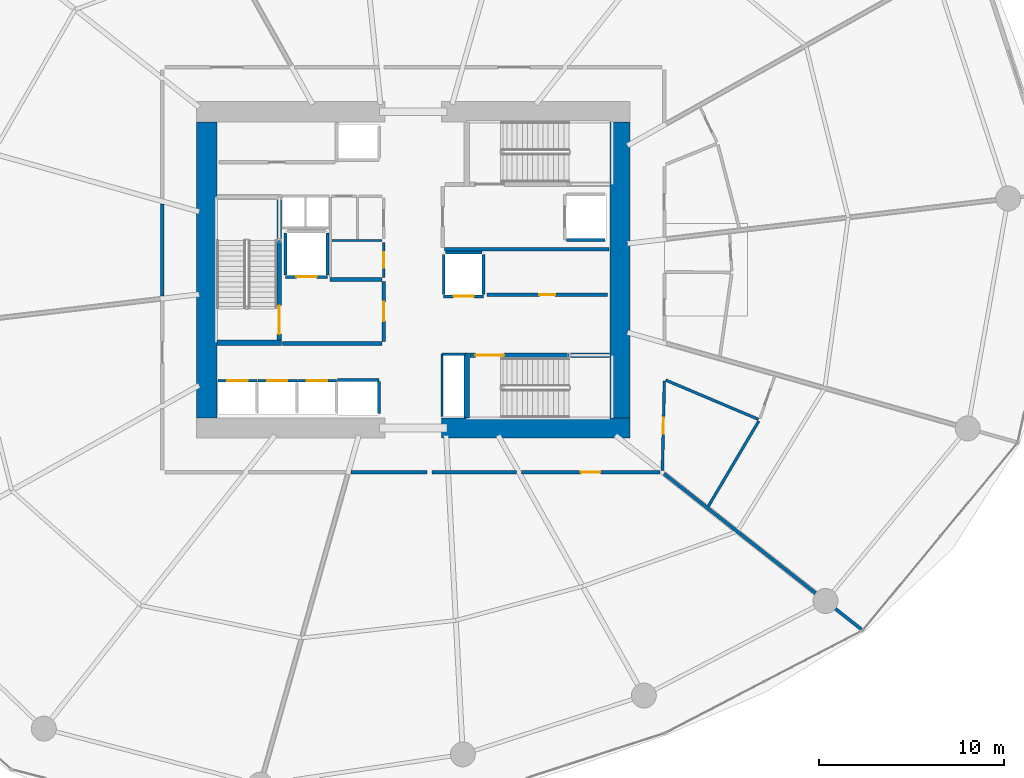
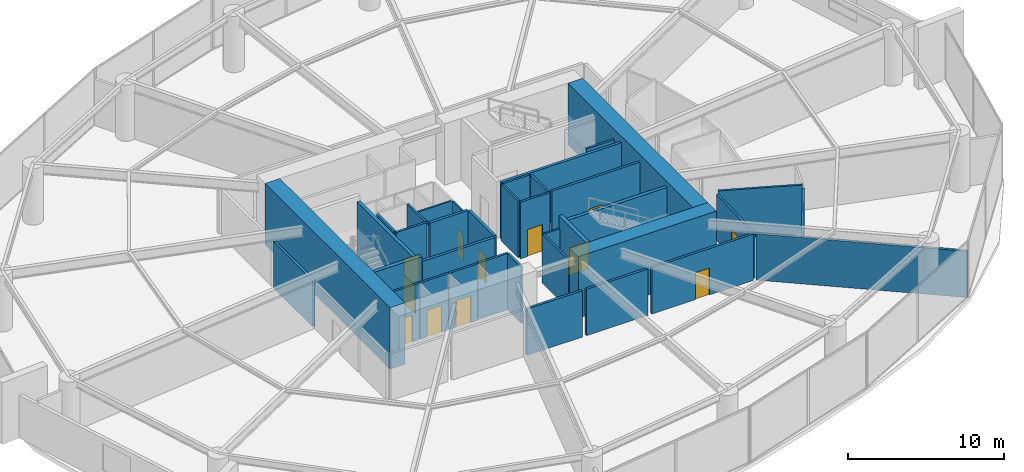
# One storey, part 18 of 22: 37 walls, 12 doors, 12 openings.
"""IFC4 building model written with IfcOpenShell, lengths in metres."""

from ifc_helpers import new_model, si_unit, direction, frame, frame_2d, origin, place, context, subcontext, project, spatial, rectangle, extrude, material, layer, layer_set, type_object, element, fill, save


model = new_model("IFC4")

# Units and contexts
model_context = context("Model", 3, precision=1e-05, world=origin(), true_north=direction((0.0, 1.0)))
body_context = subcontext(model_context, "Body", "Model", "MODEL_VIEW")
ifc_project = project(units=[si_unit("LENGTHUNIT", "METRE"), si_unit("AREAUNIT", "SQUARE_METRE"), si_unit("VOLUMEUNIT", "CUBIC_METRE"), si_unit("PLANEANGLEUNIT", "RADIAN"), si_unit("MASSUNIT", "GRAM", prefix="KILO")], contexts=[model_context])

# Site, building, storey
site_placement = place(None, origin())
site = spatial("IfcSite", under=ifc_project, at=site_placement, CompositionType="ELEMENT")
building_placement = place(site_placement, origin())
building = spatial("IfcBuilding", under=site, at=building_placement, Name="Kazma Halo Residences", CompositionType="ELEMENT")
storey_placement = place(building_placement, frame((0.0, 0.0, 16.800048828125)))
storey = spatial("IfcBuildingStorey", under=building, at=storey_placement, Name="L03", CompositionType="ELEMENT", Elevation=16.800048828125)

# Walls
ifc_material_1 = material(Name="Concrete C80/95", Category="concrete")
ifc_layer_1 = layer(ifc_material_1, 1.10009765625)
ifc_layer_set_1 = layer_set([ifc_layer_1], Name="Concrete C80/95")
wall_type_1 = type_object("IfcWallType", Name="WL-CORE-1100", PredefinedType="SHEAR", material=ifc_layer_set_1)
wall_1_placement = place(storey_placement, frame((49.949951171875, 33.449951171875, 0.0), z_axis=(0.0, 0.0, 1.0), x_axis=(1.0, 0.0, 0.0)))
element("IfcWall", 1, at=wall_1_placement, inside=storey, type_object=wall_type_1, Name="L03 central core shear wall SE", PredefinedType="SHEAR", context=body_context, shape_type="SweptSolid", body=[
    extrude(rectangle(XDim=10.199951171875, YDim=1.10009765625, at=frame_2d((5.10009765625, 0.0))), origin(), (0.0, 0.0, 1.0), 4.800048828125),
])
for number, where, z_axis, x_axis, name in (
    (2, (37.25, 34.0, 0.0), (0.0, 0.0, 1.0), (0.0, 1.0, 0.0), "L03 central core shear wall W"),
    (3, (59.60009765625, 34.0, 0.0), (0.0, 0.0, 1.0), (0.0, 1.0, 0.0), "L03 central core shear wall E"),
):
    element("IfcWall", number, at=place(storey_placement, frame(where, z_axis=z_axis, x_axis=x_axis)), inside=storey, type_object=wall_type_1, Name=name, PredefinedType="SHEAR", context=body_context, shape_type="SweptSolid", body=[
        extrude(rectangle(XDim=16.0, YDim=1.10009765625, at=frame_2d((8.0, 0.0))), origin(), (0.0, 0.0, 1.0), 4.800048828125),
    ])
ifc_material_2 = material(Name="Concrete C60/75", Category="concrete")
ifc_layer_2 = layer(ifc_material_2, 0.280029296875)
ifc_layer_set_2 = layer_set([ifc_layer_2], Name="Concrete C60/75")
wall_type_2 = type_object("IfcWallType", Name="WL-CORE-ST-280", PredefinedType="SHEAR", material=ifc_layer_set_2)
for number, where, z_axis, x_axis, name in (
    (4, (37.800048828125, 38.06005859375, 0.0), (0.0, 0.0, 1.0), (1.0, 0.0, 0.0), "L03 stairwell bearing wall ST01-S"),
    (5, (51.31005859375, 34.0, 0.0), (0.0, 0.0, 1.0), (0.0, 1.0, 0.0), "L03 stairwell bearing wall ST03-W"),
):
    element("IfcWall", number, at=place(storey_placement, frame(where, z_axis=z_axis, x_axis=x_axis)), inside=storey, type_object=wall_type_2, Name=name, PredefinedType="SHEAR", context=body_context, shape_type="SweptSolid", body=[
        extrude(rectangle(XDim=3.5, YDim=0.280029296875, at=frame_2d((1.75, 0.0))), origin(), (0.0, 0.0, 1.0), 4.800048828125),
    ])
ifc_material_3 = material(Name="Acoustic Twin-Stud Gypsum")
ifc_layer_3 = layer(ifc_material_3, 0.179931640625)
ifc_layer_set_3 = layer_set([ifc_layer_3], Name="Acoustic Twin-Stud Gypsum")
wall_type_3 = type_object("IfcWallType", Name="WL-DEM-180", PredefinedType="PARTITIONING", material=ifc_layer_set_3)
wall_2_placement = place(storey_placement, frame((34.85009765625, 45.568603515625, 0.0), z_axis=(0.0, 0.0, 1.0), x_axis=(0.0, -1.0, 0.0)))
element("IfcWall", 6, at=wall_2_placement, inside=storey, type_object=wall_type_3, Name="L03 Yoga and Pilates Studio corridor wall", PredefinedType="PARTITIONING", context=body_context, shape_type="SweptSolid", body=[
    extrude(rectangle(XDim=4.985107421875, YDim=0.179931640625, at=frame_2d((2.49267578125, 0.0))), origin(), (0.0, 0.0, 1.0), 3.613037109375),
])
wall_3_placement = place(storey_placement, frame((45.0517578125, 31.050048828125, 0.0), z_axis=(0.0, 0.0, 1.0), x_axis=(1.0, 0.0, 0.0)))
element("IfcWall", 7, at=wall_3_placement, inside=storey, type_object=wall_type_3, Name="L03 Athletic Equipment Store Room corridor wall", PredefinedType="PARTITIONING", context=body_context, shape_type="SweptSolid", body=[
    extrude(rectangle(XDim=4.104248046875, YDim=0.179931640625, at=frame_2d((2.05224609375, 0.0))), origin(), (0.0, 0.0, 1.0), 3.613037109375),
])
wall_4_placement = place(storey_placement, frame((49.43603515625, 31.050048828125, 0.0), z_axis=(0.0, 0.0, 1.0), x_axis=(1.0, 0.0, 0.0)))
element("IfcWall", 8, at=wall_4_placement, inside=storey, type_object=wall_type_3, Name="L03 Athletic Equipment Store Room corridor wall", PredefinedType="PARTITIONING", context=body_context, shape_type="SweptSolid", body=[
    extrude(rectangle(XDim=4.55615234375, YDim=0.179931640625, at=frame_2d((2.278076171875, 0.0))), origin(), (0.0, 0.0, 1.0), 3.613037109375),
])

# Wall, opening, door
wall_5_placement = place(storey_placement, frame((54.272216796875, 31.050048828125, 0.0), z_axis=(0.0, 0.0, 1.0), x_axis=(1.0, 0.0, 0.0)))
wall_5 = element("IfcWall", 9, at=wall_5_placement, inside=storey, type_object=wall_type_3, Name="L03 Athletic Equipment Store Room corridor wall", PredefinedType="PARTITIONING", context=body_context, shape_type="SweptSolid", body=[
    extrude(rectangle(XDim=7.477783203125, YDim=0.179931640625, at=frame_2d((3.73876953125, 0.0))), origin(), (0.0, 0.0, 1.0), 3.613037109375),
])
opening_1_placement = place(wall_5_placement, frame((3.2138671875, 0.0, 0.0)))
opening_1 = element("IfcOpeningElement", 10, at=opening_1_placement, cuts=wall_5, Name="Opening DF-1050", PredefinedType="OPENING", context=body_context, shape_type="SweptSolid", body=[
    extrude(rectangle(XDim=1.050048828125, YDim=2.10009765625, at=frame_2d((0.52490234375, 1.050048828125))), frame((0.0, 0.099853515625, 0.0), z_axis=(0.0, -1.0, 0.0), x_axis=(1.0, 0.0, 0.0)), (0.0, 0.0, 1.0), 0.199951171875),
])
ifc_material_4 = material(Name="Fire-Rated Steel Leaf", Category="steel")
door_type_1 = type_object("IfcDoorType", Name="DR-FD90-1050", OperationType="NOTDEFINED", PredefinedType="DOOR", material=ifc_material_4)
door_1_placement = place(opening_1_placement, origin())
door_1 = element("IfcDoor", 11, at=door_1_placement, inside=storey, type_object=door_type_1, Name="L03 Athletic Equipment Store Room entrance door", OperationType="SINGLE_SWING_RIGHT", OverallHeight=2.10009765625, OverallWidth=1.050048828125, PredefinedType="DOOR", context=body_context, shape_type="SweptSolid", body=[
    extrude(rectangle(XDim=1.050048828125, YDim=2.10009765625, at=frame_2d((0.52490234375, 1.050048828125))), frame((0.0, 0.02490234375, 0.0), z_axis=(0.0, -1.0, 0.0), x_axis=(1.0, 0.0, 0.0)), (0.0, 0.0, 1.0), 0.050048828125),
])
fill(opening_1, door_1)

# Wall
wall_6_placement = place(storey_placement, frame((61.976318359375, 30.98193359375, 0.0), z_axis=(0.0, 0.0, 1.0), x_axis=(0.785315783489, -0.619095404766, 0.0)))
element("IfcWall", 12, at=wall_6_placement, inside=storey, type_object=wall_type_3, Name="L03 radial partition wall 13", PredefinedType="PARTITIONING", context=body_context, shape_type="SweptSolid", body=[
    extrude(rectangle(XDim=13.6611328125, YDim=0.179931640625, at=frame_2d((6.83056640625, 0.0))), origin(), (0.0, 0.0, 1.0), 3.613037109375),
])

# Wall, opening, door
ifc_material_5 = material(Name="Fire-Rated Blockwork Masonry", Category="masonry")
ifc_layer_4 = layer(ifc_material_5, 0.199951171875)
ifc_layer_set_4 = layer_set([ifc_layer_4], Name="Fire-Rated Blockwork Masonry")
wall_type_4 = type_object("IfcWallType", Name="WL-FLB-200", PredefinedType="PARTITIONING", material=ifc_layer_set_4)
wall_7_placement = place(storey_placement, frame((37.864990234375, 36.0048828125, 0.0), z_axis=(0.0, 0.0, 1.0), x_axis=(1.0, 0.0, 0.0)))
wall_7 = element("IfcWall", 13, at=wall_7_placement, inside=storey, type_object=wall_type_4, Name="L03 lift shaft PL-01 front wall", PredefinedType="PARTITIONING", context=body_context, shape_type="SweptSolid", body=[
    extrude(rectangle(XDim=2.110107421875, YDim=0.159912109375, at=frame_2d((1.05517578125, 0.0))), origin(), (0.0, 0.0, 1.0), 4.39990234375),
])
opening_2_placement = place(wall_7_placement, frame((0.5048828125, 0.0, 0.0)))
opening_2 = element("IfcOpeningElement", 14, at=opening_2_placement, cuts=wall_7, Name="Opening LD-PL-01", PredefinedType="OPENING", context=body_context, shape_type="SweptSolid", body=[
    extrude(rectangle(XDim=1.10009765625, YDim=2.10009765625, at=frame_2d((0.550048828125, 1.050048828125))), frame((0.0, 0.08984375, 0.0), z_axis=(0.0, -1.0, 0.0), x_axis=(1.0, 0.0, 0.0)), (0.0, 0.0, 1.0), 0.179931640625),
])
ifc_material_6 = material(Name="Stainless Steel Fire-Rated", Category="steel")
door_type_2 = type_object("IfcDoorType", Name="DR-LIFT-SLD-1100", OperationType="DOUBLE_DOOR_SLIDING", PredefinedType="DOOR", material=ifc_material_6)
door_2_placement = place(opening_2_placement, origin())
door_2 = element("IfcDoor", 15, at=door_2_placement, inside=storey, type_object=door_type_2, Name="L03 lift PL-01 sliding landing door", OperationType="DOUBLE_DOOR_SLIDING", OverallHeight=2.10009765625, OverallWidth=1.10009765625, PredefinedType="DOOR", context=body_context, shape_type="SweptSolid", body=[
    extrude(rectangle(XDim=1.10009765625, YDim=2.10009765625, at=frame_2d((0.550048828125, 1.050048828125))), frame((0.0, 0.02490234375, 0.0), z_axis=(0.0, -1.0, 0.0), x_axis=(1.0, 0.0, 0.0)), (0.0, 0.0, 1.0), 0.050048828125),
])
fill(opening_2, door_2)

wall_8_placement = place(storey_placement, frame((40.014892578125, 36.0048828125, 0.0), z_axis=(0.0, 0.0, 1.0), x_axis=(1.0, 0.0, 0.0)))
wall_8 = element("IfcWall", 16, at=wall_8_placement, inside=storey, type_object=wall_type_4, Name="L03 lift shaft PL-02 front wall", PredefinedType="PARTITIONING", context=body_context, shape_type="SweptSolid", body=[
    extrude(rectangle(XDim=2.110107421875, YDim=0.159912109375, at=frame_2d((1.05517578125, 0.0))), origin(), (0.0, 0.0, 1.0), 4.39990234375),
])
opening_3_placement = place(wall_8_placement, frame((0.5048828125, 0.0, 0.0)))
opening_3 = element("IfcOpeningElement", 17, at=opening_3_placement, cuts=wall_8, Name="Opening LD-PL-02", PredefinedType="OPENING", context=body_context, shape_type="SweptSolid", body=[
    extrude(rectangle(XDim=1.10009765625, YDim=2.10009765625, at=frame_2d((0.550048828125, 1.050048828125))), frame((0.0, 0.08984375, 0.0), z_axis=(0.0, -1.0, 0.0), x_axis=(1.0, 0.0, 0.0)), (0.0, 0.0, 1.0), 0.179931640625),
])
door_3_placement = place(opening_3_placement, origin())
door_3 = element("IfcDoor", 18, at=door_3_placement, inside=storey, type_object=door_type_2, Name="L03 lift PL-02 sliding landing door", OperationType="DOUBLE_DOOR_SLIDING", OverallHeight=2.10009765625, OverallWidth=1.10009765625, PredefinedType="DOOR", context=body_context, shape_type="SweptSolid", body=[
    extrude(rectangle(XDim=1.10009765625, YDim=2.10009765625, at=frame_2d((0.550048828125, 1.050048828125))), frame((0.0, 0.02490234375, 0.0), z_axis=(0.0, -1.0, 0.0), x_axis=(1.0, 0.0, 0.0)), (0.0, 0.0, 1.0), 0.050048828125),
])
fill(opening_3, door_3)

wall_9_placement = place(storey_placement, frame((42.1650390625, 36.0048828125, 0.0), z_axis=(0.0, 0.0, 1.0), x_axis=(1.0, 0.0, 0.0)))
wall_9 = element("IfcWall", 19, at=wall_9_placement, inside=storey, type_object=wall_type_4, Name="L03 lift shaft PL-03 front wall", PredefinedType="PARTITIONING", context=body_context, shape_type="SweptSolid", body=[
    extrude(rectangle(XDim=2.10986328125, YDim=0.159912109375, at=frame_2d((1.054931640625, 0.0))), origin(), (0.0, 0.0, 1.0), 4.39990234375),
])
opening_4_placement = place(wall_9_placement, frame((0.5048828125, 0.0, 0.0)))
opening_4 = element("IfcOpeningElement", 20, at=opening_4_placement, cuts=wall_9, Name="Opening LD-PL-03", PredefinedType="OPENING", context=body_context, shape_type="SweptSolid", body=[
    extrude(rectangle(XDim=1.10009765625, YDim=2.10009765625, at=frame_2d((0.550048828125, 1.050048828125))), frame((0.0, 0.08984375, 0.0), z_axis=(0.0, -1.0, 0.0), x_axis=(1.0, 0.0, 0.0)), (0.0, 0.0, 1.0), 0.179931640625),
])
door_4_placement = place(opening_4_placement, origin())
door_4 = element("IfcDoor", 21, at=door_4_placement, inside=storey, type_object=door_type_2, Name="L03 lift PL-03 sliding landing door", OperationType="DOUBLE_DOOR_SLIDING", OverallHeight=2.10009765625, OverallWidth=1.10009765625, PredefinedType="DOOR", context=body_context, shape_type="SweptSolid", body=[
    extrude(rectangle(XDim=1.10009765625, YDim=2.10009765625, at=frame_2d((0.550048828125, 1.050048828125))), frame((0.0, 0.02490234375, 0.0), z_axis=(0.0, -1.0, 0.0), x_axis=(1.0, 0.0, 0.0)), (0.0, 0.0, 1.0), 0.050048828125),
])
fill(opening_4, door_4)

# Walls
wall_10_placement = place(storey_placement, frame((44.320068359375, 36.054931640625, 0.0), z_axis=(0.0, 0.0, 1.0), x_axis=(1.0, 0.0, 0.0)))
element("IfcWall", 22, at=wall_10_placement, inside=storey, type_object=wall_type_4, Name="L03 lift shaft PX-02 front wall", PredefinedType="PARTITIONING", context=body_context, shape_type="SweptSolid", body=[
    extrude(rectangle(XDim=2.260009765625, YDim=0.159912109375, at=frame_2d((1.1298828125, 0.0))), origin(), (0.0, 0.0, 1.0), 4.39990234375),
])
wall_11_placement = place(storey_placement, frame((46.580078125, 34.2451171875, 0.0), z_axis=(0.0, 0.0, 1.0), x_axis=(0.0, 1.0, 0.0)))
element("IfcWall", 23, at=wall_11_placement, inside=storey, type_object=wall_type_4, Name="L03 lift shaft PX-02 side wall E", PredefinedType="PARTITIONING", context=body_context, shape_type="SweptSolid", body=[
    extrude(rectangle(XDim=1.7099609375, YDim=0.159912109375, at=frame_2d((0.85498046875, 0.0))), origin(), (0.0, 0.0, 1.0), 4.39990234375),
])

# Wall, opening, door
wall_12_placement = place(storey_placement, frame((43.780029296875, 41.6201171875, 0.0), z_axis=(0.0, 0.0, 1.0), x_axis=(-1.0, 0.0, 0.0)))
wall_12 = element("IfcWall", 24, at=wall_12_placement, inside=storey, type_object=wall_type_4, Name="L03 lift shaft FL-01 front wall", PredefinedType="PARTITIONING", context=body_context, shape_type="SweptSolid", body=[
    extrude(rectangle(XDim=2.260009765625, YDim=0.159912109375, at=frame_2d((1.1298828125, 0.0))), origin(), (0.0, 0.0, 1.0), 4.39990234375),
])
opening_5_placement = place(wall_12_placement, frame((0.580078125, 0.0, 0.0)))
opening_5 = element("IfcOpeningElement", 25, at=opening_5_placement, cuts=wall_12, Name="Opening LD-FL-01", PredefinedType="OPENING", context=body_context, shape_type="SweptSolid", body=[
    extrude(rectangle(XDim=1.10009765625, YDim=2.10009765625, at=frame_2d((0.550048828125, 1.050048828125))), frame((0.0, 0.08984375, 0.0), z_axis=(0.0, -1.0, 0.0), x_axis=(1.0, 0.0, 0.0)), (0.0, 0.0, 1.0), 0.179931640625),
])
door_5_placement = place(opening_5_placement, origin())
door_5 = element("IfcDoor", 26, at=door_5_placement, inside=storey, type_object=door_type_2, Name="L03 lift FL-01 sliding landing door", OperationType="DOUBLE_DOOR_SLIDING", OverallHeight=2.10009765625, OverallWidth=1.10009765625, PredefinedType="DOOR", context=body_context, shape_type="SweptSolid", body=[
    extrude(rectangle(XDim=1.10009765625, YDim=2.10009765625, at=frame_2d((0.550048828125, 1.050048828125))), frame((0.0, 0.02490234375, 0.0), z_axis=(0.0, -1.0, 0.0), x_axis=(1.0, 0.0, 0.0)), (0.0, 0.0, 1.0), 0.050048828125),
])
fill(opening_5, door_5)

# Walls
for number, where, z_axis, x_axis, name in (
    (27, (43.780029296875, 41.719970703125, 0.0), (0.0, 0.0, 1.0), (0.0, 1.0, 0.0), "L03 lift shaft FL-01 side wall E"),
    (28, (41.52001953125, 41.719970703125, 0.0), (0.0, 0.0, 1.0), (0.0, 1.0, 0.0), "L03 lift shaft FL-01 side wall W"),
):
    element("IfcWall", number, at=place(storey_placement, frame(where, z_axis=z_axis, x_axis=x_axis)), inside=storey, type_object=wall_type_4, Name=name, PredefinedType="PARTITIONING", context=body_context, shape_type="SweptSolid", body=[
        extrude(rectangle(XDim=2.260009765625, YDim=0.159912109375, at=frame_2d((1.1298828125, 0.0))), origin(), (0.0, 0.0, 1.0), 4.39990234375),
    ])
wall_13_placement = place(storey_placement, frame((56.719970703125, 43.6201171875, 0.0), z_axis=(0.0, 0.0, 1.0), x_axis=(1.0, 0.0, 0.0)))
element("IfcWall", 29, at=wall_13_placement, inside=storey, type_object=wall_type_4, Name="L03 lift shaft FL-02 side wall S", PredefinedType="PARTITIONING", context=body_context, shape_type="SweptSolid", body=[
    extrude(rectangle(XDim=2.06005859375, YDim=0.159912109375, at=frame_2d((1.030029296875, 0.0))), origin(), (0.0, 0.0, 1.0), 4.39990234375),
])

# Wall, opening, door
wall_14_placement = place(storey_placement, frame((52.22998046875, 40.570068359375, 0.0), z_axis=(0.0, 0.0, 1.0), x_axis=(-1.0, 0.0, 0.0)))
wall_14 = element("IfcWall", 30, at=wall_14_placement, inside=storey, type_object=wall_type_4, Name="L03 lift shaft SV-01 front wall", PredefinedType="PARTITIONING", context=body_context, shape_type="SweptSolid", body=[
    extrude(rectangle(XDim=2.159912109375, YDim=0.159912109375, at=frame_2d((1.080078125, 0.0))), origin(), (0.0, 0.0, 1.0), 4.39990234375),
])
opening_6_placement = place(wall_14_placement, frame((0.530029296875, 0.0, 0.0)))
opening_6 = element("IfcOpeningElement", 31, at=opening_6_placement, cuts=wall_14, Name="Opening LD-SV-01", PredefinedType="OPENING", context=body_context, shape_type="SweptSolid", body=[
    extrude(rectangle(XDim=1.10009765625, YDim=2.10009765625, at=frame_2d((0.550048828125, 1.050048828125))), frame((0.0, 0.08984375, 0.0), z_axis=(0.0, -1.0, 0.0), x_axis=(1.0, 0.0, 0.0)), (0.0, 0.0, 1.0), 0.179931640625),
])
door_6_placement = place(opening_6_placement, origin())
door_6 = element("IfcDoor", 32, at=door_6_placement, inside=storey, type_object=door_type_2, Name="L03 lift SV-01 sliding landing door", OperationType="DOUBLE_DOOR_SLIDING", OverallHeight=2.10009765625, OverallWidth=1.10009765625, PredefinedType="DOOR", context=body_context, shape_type="SweptSolid", body=[
    extrude(rectangle(XDim=1.10009765625, YDim=2.10009765625, at=frame_2d((0.550048828125, 1.050048828125))), frame((0.0, 0.02490234375, 0.0), z_axis=(0.0, -1.0, 0.0), x_axis=(1.0, 0.0, 0.0)), (0.0, 0.0, 1.0), 0.050048828125),
])
fill(opening_6, door_6)

# Walls
for number, where, z_axis, x_axis, name in (
    (33, (52.22998046875, 40.669921875, 0.0), (0.0, 0.0, 1.0), (0.0, 1.0, 0.0), "L03 lift shaft SV-01 side wall E"),
    (34, (50.070068359375, 40.669921875, 0.0), (0.0, 0.0, 1.0), (0.0, 1.0, 0.0), "L03 lift shaft SV-01 side wall W"),
):
    element("IfcWall", number, at=place(storey_placement, frame(where, z_axis=z_axis, x_axis=x_axis)), inside=storey, type_object=wall_type_4, Name=name, PredefinedType="PARTITIONING", context=body_context, shape_type="SweptSolid", body=[
        extrude(rectangle(XDim=2.16015625, YDim=0.159912109375, at=frame_2d((1.080078125, 0.0))), origin(), (0.0, 0.0, 1.0), 4.39990234375),
    ])
wall_15_placement = place(storey_placement, frame((50.169921875, 42.929931640625, 0.0), z_axis=(0.0, 0.0, 1.0), x_axis=(1.0, 0.0, 0.0)))
element("IfcWall", 35, at=wall_15_placement, inside=storey, type_object=wall_type_4, Name="L03 lift shaft SV-01 side wall N", PredefinedType="PARTITIONING", context=body_context, shape_type="SweptSolid", body=[
    extrude(rectangle(XDim=1.9599609375, YDim=0.159912109375, at=frame_2d((0.97998046875, 0.0))), origin(), (0.0, 0.0, 1.0), 4.39990234375),
])

# Wall, opening, door
wall_16_placement = place(storey_placement, frame((52.419921875, 40.64990234375, 0.0), z_axis=(0.0, 0.0, 1.0), x_axis=(1.0, 0.0, 0.0)))
wall_16 = element("IfcWall", 36, at=wall_16_placement, inside=storey, type_object=wall_type_4, Name="L03 core east reserve wall", PredefinedType="PARTITIONING", context=body_context, shape_type="SweptSolid", body=[
    extrude(rectangle(XDim=6.5, YDim=0.179931640625, at=frame_2d((3.25, 0.0))), origin(), (0.0, 0.0, 1.0), 4.39990234375),
])
opening_7_placement = place(wall_16_placement, frame((2.824951171875, 0.0, 0.0)))
opening_7 = element("IfcOpeningElement", 37, at=opening_7_placement, cuts=wall_16, Name="Opening DS-850", PredefinedType="OPENING", context=body_context, shape_type="SweptSolid", body=[
    extrude(rectangle(XDim=0.85009765625, YDim=2.06005859375, at=frame_2d((0.425048828125, 1.030029296875))), frame((0.0, 0.099853515625, 0.0), z_axis=(0.0, -1.0, 0.0), x_axis=(1.0, 0.0, 0.0)), (0.0, 0.0, 1.0), 0.199951171875),
])
ifc_material_7 = material(Name="Painted Steel Access Leaf", Category="steel")
door_type_3 = type_object("IfcDoorType", Name="DR-SVC-850", OperationType="NOTDEFINED", PredefinedType="DOOR", material=ifc_material_7)
door_7_placement = place(opening_7_placement, origin())
door_7 = element("IfcDoor", 38, at=door_7_placement, inside=storey, type_object=door_type_3, Name="L03 core east reserve door", OperationType="SINGLE_SWING_RIGHT", OverallHeight=2.06005859375, OverallWidth=0.85009765625, PredefinedType="DOOR", context=body_context, shape_type="SweptSolid", body=[
    extrude(rectangle(XDim=0.85009765625, YDim=2.06005859375, at=frame_2d((0.425048828125, 1.030029296875))), frame((0.0, 0.02490234375, 0.0), z_axis=(0.0, -1.0, 0.0), x_axis=(1.0, 0.0, 0.0)), (0.0, 0.0, 1.0), 0.050048828125),
])
fill(opening_7, door_7)

# Walls
wall_17_placement = place(storey_placement, frame((41.35009765625, 38.02001953125, 0.0), z_axis=(0.0, 0.0, 1.0), x_axis=(1.0, 0.0, 0.0)))
element("IfcWall", 39, at=wall_17_placement, inside=storey, type_object=wall_type_4, Name="L03 west firefighting lobby south smoke wall", PredefinedType="PARTITIONING", context=body_context, shape_type="SweptSolid", body=[
    extrude(rectangle(XDim=5.369873046875, YDim=0.199951171875, at=frame_2d((2.68505859375, 0.0))), origin(), (0.0, 0.0, 1.0), 4.39990234375),
])
wall_18_placement = place(storey_placement, frame((43.919921875, 41.47998046875, 0.0), z_axis=(0.0, 0.0, 1.0), x_axis=(1.0, 0.0, 0.0)))
element("IfcWall", 40, at=wall_18_placement, inside=storey, type_object=wall_type_4, Name="L03 west firefighting lobby north smoke wall", PredefinedType="PARTITIONING", context=body_context, shape_type="SweptSolid", body=[
    extrude(rectangle(XDim=2.800048828125, YDim=0.199951171875, at=frame_2d((1.39990234375, 0.0))), origin(), (0.0, 0.0, 1.0), 4.39990234375),
])

# Wall, opening, door
wall_19_placement = place(storey_placement, frame((46.820068359375, 38.1201171875, 0.0), z_axis=(0.0, 0.0, 1.0), x_axis=(0.0, 1.0, 0.0)))
wall_19 = element("IfcWall", 41, at=wall_19_placement, inside=storey, type_object=wall_type_4, Name="L03 west firefighting lobby smoke wall", PredefinedType="PARTITIONING", context=body_context, shape_type="SweptSolid", body=[
    extrude(rectangle(XDim=3.259765625, YDim=0.199951171875, at=frame_2d((1.6298828125, 0.0))), origin(), (0.0, 0.0, 1.0), 4.39990234375),
])
opening_8_placement = place(wall_19_placement, frame((1.10498046875, 0.0, 0.0)))
opening_8 = element("IfcOpeningElement", 42, at=opening_8_placement, cuts=wall_19, Name="Opening D-FLW", PredefinedType="OPENING", context=body_context, shape_type="SweptSolid", body=[
    extrude(rectangle(XDim=1.050048828125, YDim=2.10009765625, at=frame_2d((0.52490234375, 1.050048828125))), frame((0.0, 0.10986328125, 0.0), z_axis=(0.0, -1.0, 0.0), x_axis=(1.0, 0.0, 0.0)), (0.0, 0.0, 1.0), 0.219970703125),
])
door_8_placement = place(opening_8_placement, origin())
door_8 = element("IfcDoor", 43, at=door_8_placement, inside=storey, type_object=door_type_1, Name="L03 west firefighting lobby smoke door", OperationType="SINGLE_SWING_RIGHT", OverallHeight=2.10009765625, OverallWidth=1.050048828125, PredefinedType="DOOR", context=body_context, shape_type="SweptSolid", body=[
    extrude(rectangle(XDim=1.050048828125, YDim=2.10009765625, at=frame_2d((0.52490234375, 1.050048828125))), frame((0.0, 0.02490234375, 0.0), z_axis=(0.0, -1.0, 0.0), x_axis=(1.0, 0.0, 0.0)), (0.0, 0.0, 1.0), 0.050048828125),
])
fill(opening_8, door_8)

# Walls
wall_20_placement = place(storey_placement, frame((50.1201171875, 43.1201171875, 0.0), z_axis=(0.0, 0.0, 1.0), x_axis=(1.0, 0.0, 0.0)))
element("IfcWall", 44, at=wall_20_placement, inside=storey, type_object=wall_type_4, Name="L03 east firefighting lobby south smoke wall", PredefinedType="PARTITIONING", context=body_context, shape_type="SweptSolid", body=[
    extrude(rectangle(XDim=8.8798828125, YDim=0.199951171875, at=frame_2d((4.43994140625, 0.0))), origin(), (0.0, 0.0, 1.0), 4.39990234375),
])
ifc_material_8 = material(Name="Gypsum Plasterboard Partition")
ifc_layer_5 = layer(ifc_material_8, 0.125)
ifc_layer_set_5 = layer_set([ifc_layer_5], Name="Gypsum Plasterboard Partition")
wall_type_5 = type_object("IfcWallType", Name="WL-PART-125", PredefinedType="PARTITIONING", material=ifc_layer_set_5)
wall_21_placement = place(storey_placement, frame((49.97998046875, 34.06005859375, 0.0), z_axis=(0.0, 0.0, 1.0), x_axis=(0.0, 1.0, 0.0)))
element("IfcWall", 45, at=wall_21_placement, inside=storey, type_object=wall_type_5, Name="L03 standpipe riser wall", PredefinedType="PARTITIONING", context=body_context, shape_type="SweptSolid", body=[
    extrude(rectangle(XDim=3.39990234375, YDim=0.125, at=frame_2d((1.699951171875, 0.0))), origin(), (0.0, 0.0, 1.0), 3.83984375),
])
wall_22_placement = place(storey_placement, frame((49.97998046875, 37.43994140625, 0.0), z_axis=(0.0, 0.0, 1.0), x_axis=(1.0, 0.0, 0.0)))
element("IfcWall", 46, at=wall_22_placement, inside=storey, type_object=wall_type_5, Name="L03 standpipe riser north wall", PredefinedType="PARTITIONING", context=body_context, shape_type="SweptSolid", body=[
    extrude(rectangle(XDim=1.260009765625, YDim=0.125, at=frame_2d((0.6298828125, 0.0))), origin(), (0.0, 0.0, 1.0), 3.83984375),
])
wall_23_placement = place(storey_placement, frame((44.030029296875, 43.590087890625, 0.0), z_axis=(0.0, 0.0, 1.0), x_axis=(1.0, 0.0, 0.0)))
element("IfcWall", 47, at=wall_23_placement, inside=storey, type_object=wall_type_5, Name="L03 core service horiz divider", PredefinedType="PARTITIONING", context=body_context, shape_type="SweptSolid", body=[
    extrude(rectangle(XDim=2.7099609375, YDim=0.125, at=frame_2d((1.35498046875, 0.0))), origin(), (0.0, 0.0, 1.0), 3.83984375),
])

# Wall, opening, door
wall_24_placement = place(storey_placement, frame((46.820068359375, 41.580078125, 0.0), z_axis=(0.0, 0.0, 1.0), x_axis=(0.0, 1.0, 0.0)))
wall_24 = element("IfcWall", 48, at=wall_24_placement, inside=storey, type_object=wall_type_5, Name="L03 refuse room east wall", PredefinedType="PARTITIONING", context=body_context, shape_type="SweptSolid", body=[
    extrude(rectangle(XDim=1.909912109375, YDim=0.125, at=frame_2d((0.955078125, 0.0))), origin(), (0.0, 0.0, 1.0), 3.83984375),
])
opening_9_placement = place(wall_24_placement, frame((0.530029296875, 0.0, 0.0)))
opening_9 = element("IfcOpeningElement", 49, at=opening_9_placement, cuts=wall_24, Name="Opening DS-850", PredefinedType="OPENING", context=body_context, shape_type="SweptSolid", body=[
    extrude(rectangle(XDim=0.85009765625, YDim=2.06005859375, at=frame_2d((0.425048828125, 1.030029296875))), frame((0.0, 0.072509765625, 0.0), z_axis=(0.0, -1.0, 0.0), x_axis=(1.0, 0.0, 0.0)), (0.0, 0.0, 1.0), 0.14501953125),
])
door_9_placement = place(opening_9_placement, origin())
door_9 = element("IfcDoor", 50, at=door_9_placement, inside=storey, type_object=door_type_3, Name="L03 refuse room door", OperationType="SINGLE_SWING_RIGHT", OverallHeight=2.06005859375, OverallWidth=0.85009765625, PredefinedType="DOOR", context=body_context, shape_type="SweptSolid", body=[
    extrude(rectangle(XDim=0.85009765625, YDim=2.06005859375, at=frame_2d((0.425048828125, 1.030029296875))), frame((0.0, 0.02490234375, 0.0), z_axis=(0.0, -1.0, 0.0), x_axis=(1.0, 0.0, 0.0)), (0.0, 0.0, 1.0), 0.050048828125),
])
fill(opening_9, door_9)

ifc_material_9 = material(Name="Concrete C50/60", Category="concrete")
ifc_layer_6 = layer(ifc_material_9, 0.25)
ifc_layer_set_6 = layer_set([ifc_layer_6], Name="Concrete C50/60")
wall_type_6 = type_object("IfcWallType", Name="WL-SHF-250", PredefinedType="SOLIDWALL", material=ifc_layer_set_6)
wall_25_placement = place(storey_placement, frame((41.179931640625, 38.219970703125, 0.0), z_axis=(0.0, 0.0, 1.0), x_axis=(0.0, 1.0, 0.0)))
wall_25 = element("IfcWall", 51, at=wall_25_placement, inside=storey, type_object=wall_type_6, Name="L03 exit stair ST-01 enclosure wall", PredefinedType="SOLIDWALL", context=body_context, shape_type="SweptSolid", body=[
    extrude(rectangle(XDim=7.56005859375, YDim=0.25, at=frame_2d((3.780029296875, 0.0))), origin(), (0.0, 0.0, 1.0), 4.39990234375),
])
opening_10_placement = place(wall_25_placement, frame((0.300048828125, 0.0, 0.0)))
opening_10 = element("IfcOpeningElement", 52, at=opening_10_placement, cuts=wall_25, Name="Opening D-ST1", PredefinedType="OPENING", context=body_context, shape_type="SweptSolid", body=[
    extrude(rectangle(XDim=1.550048828125, YDim=2.14990234375, at=frame_2d((0.77490234375, 1.074951171875))), frame((0.0, 0.135009765625, 0.0), z_axis=(0.0, -1.0, 0.0), x_axis=(1.0, 0.0, 0.0)), (0.0, 0.0, 1.0), 0.27001953125),
])
ifc_material_10 = material(Name="Fire-Rated Double Steel Leaf", Category="steel")
door_type_4 = type_object("IfcDoorType", Name="DR-FD90-1550", OperationType="NOTDEFINED", PredefinedType="DOOR", material=ifc_material_10)
door_10_placement = place(opening_10_placement, origin())
door_10 = element("IfcDoor", 53, at=door_10_placement, inside=storey, type_object=door_type_4, Name="L03 exit stair ST-01 fire door", OperationType="DOUBLE_DOOR_SINGLE_SWING", OverallHeight=2.14990234375, OverallWidth=1.550048828125, PredefinedType="DOOR", context=body_context, shape_type="SweptSolid", body=[
    extrude(rectangle(XDim=1.550048828125, YDim=2.14990234375, at=frame_2d((0.77490234375, 1.074951171875))), frame((0.0, 0.02490234375, 0.0), z_axis=(0.0, -1.0, 0.0), x_axis=(1.0, 0.0, 0.0)), (0.0, 0.0, 1.0), 0.050048828125),
])
fill(opening_10, door_10)

wall_26_placement = place(storey_placement, frame((51.47998046875, 37.3798828125, 0.0), z_axis=(0.0, 0.0, 1.0), x_axis=(1.0, 0.0, 0.0)))
wall_26 = element("IfcWall", 54, at=wall_26_placement, inside=storey, type_object=wall_type_6, Name="L03 exit stair ST-03 enclosure wall", PredefinedType="SOLIDWALL", context=body_context, shape_type="SweptSolid", body=[
    extrude(rectangle(XDim=7.5400390625, YDim=0.25, at=frame_2d((3.77001953125, 0.0))), origin(), (0.0, 0.0, 1.0), 4.39990234375),
])
opening_11_placement = place(wall_26_placement, frame((0.300048828125, 0.0, 0.0)))
opening_11 = element("IfcOpeningElement", 55, at=opening_11_placement, cuts=wall_26, Name="Opening D-ST3", PredefinedType="OPENING", context=body_context, shape_type="SweptSolid", body=[
    extrude(rectangle(XDim=1.550048828125, YDim=2.14990234375, at=frame_2d((0.77490234375, 1.074951171875))), frame((0.0, 0.135009765625, 0.0), z_axis=(0.0, -1.0, 0.0), x_axis=(1.0, 0.0, 0.0)), (0.0, 0.0, 1.0), 0.27001953125),
])
door_11_placement = place(opening_11_placement, origin())
door_11 = element("IfcDoor", 56, at=door_11_placement, inside=storey, type_object=door_type_4, Name="L03 exit stair ST-03 fire door", OperationType="DOUBLE_DOOR_SINGLE_SWING", OverallHeight=2.14990234375, OverallWidth=1.550048828125, PredefinedType="DOOR", context=body_context, shape_type="SweptSolid", body=[
    extrude(rectangle(XDim=1.550048828125, YDim=2.14990234375, at=frame_2d((0.77490234375, 1.074951171875))), frame((0.0, 0.02490234375, 0.0), z_axis=(0.0, -1.0, 0.0), x_axis=(1.0, 0.0, 0.0)), (0.0, 0.0, 1.0), 0.050048828125),
])
fill(opening_11, door_11)

ifc_material_11 = material(Name="Moisture-Resistant Gypsum")
ifc_layer_7 = layer(ifc_material_11, 0.14990234375)
ifc_layer_set_7 = layer_set([ifc_layer_7], Name="Moisture-Resistant Gypsum")
wall_type_7 = type_object("IfcWallType", Name="WL-WET-150", PredefinedType="PARTITIONING", material=ifc_layer_set_7)
wall_27_placement = place(storey_placement, frame((61.89208984375, 31.14990234375, 0.0), z_axis=(0.0, 0.0, 1.0), x_axis=(0.021928973177, 0.999759531155, 0.0)))
wall_27 = element("IfcWall", 57, at=wall_27_placement, inside=storey, type_object=wall_type_7, Name="L03 Gym Male Locker and WC corridor wall", PredefinedType="PARTITIONING", context=body_context, shape_type="SweptSolid", body=[
    extrude(rectangle(XDim=4.843017578125, YDim=0.14990234375, at=frame_2d((2.42138671875, 0.0))), origin(), (0.0, 0.0, 1.0), 3.613037109375),
])
opening_12_placement = place(wall_27_placement, frame((1.99658203125, 0.0, 0.0)))
opening_12 = element("IfcOpeningElement", 58, at=opening_12_placement, cuts=wall_27, Name="Opening DB-900", PredefinedType="OPENING", context=body_context, shape_type="SweptSolid", body=[
    extrude(rectangle(XDim=0.85009765625, YDim=2.06005859375, at=frame_2d((0.425048828125, 1.030029296875))), frame((0.0, 0.0849609375, 0.0), z_axis=(0.0, -1.0, 0.0), x_axis=(1.0, 0.0, 0.0)), (0.0, 0.0, 1.0), 0.169921875),
])
ifc_material_12 = material(Name="Moisture-Sealed Timber Leaf", Category="wood")
door_type_5 = type_object("IfcDoorType", Name="DR-BTH-900", OperationType="NOTDEFINED", PredefinedType="DOOR", material=ifc_material_12)
door_12_placement = place(opening_12_placement, origin())
door_12 = element("IfcDoor", 59, at=door_12_placement, inside=storey, type_object=door_type_5, Name="L03 Gym Male Locker and WC door", OperationType="SINGLE_SWING_LEFT", OverallHeight=2.06005859375, OverallWidth=0.85009765625, PredefinedType="DOOR", context=body_context, shape_type="SweptSolid", body=[
    extrude(rectangle(XDim=0.85009765625, YDim=2.06005859375, at=frame_2d((0.425048828125, 1.030029296875))), frame((0.0, 0.02490234375, 0.0), z_axis=(0.0, -1.0, 0.0), x_axis=(1.0, 0.0, 0.0)), (0.0, 0.0, 1.0), 0.050048828125),
])
fill(opening_12, door_12)

# Walls
wall_28_placement = place(storey_placement, frame((62.07373046875, 36.04052734375, 0.0), z_axis=(0.0, 0.0, 1.0), x_axis=(0.920841540816, -0.38993699069, 0.0)))
element("IfcWall", 60, at=wall_28_placement, inside=storey, type_object=wall_type_7, Name="L03 Gym Male Locker and WC side wall", PredefinedType="PARTITIONING", context=body_context, shape_type="SweptSolid", body=[
    extrude(rectangle(XDim=5.443359375, YDim=0.14990234375, at=frame_2d((2.7216796875, 0.0))), origin(), (0.0, 0.0, 1.0), 3.83984375),
])
wall_29_placement = place(storey_placement, frame((64.375244140625, 29.217041015625, 0.0), z_axis=(0.0, 0.0, 1.0), x_axis=(0.509047270842, 0.860738564286, 0.0)))
element("IfcWall", 61, at=wall_29_placement, inside=storey, type_object=wall_type_7, Name="L03 Gym Male Locker and WC back wall", PredefinedType="PARTITIONING", context=body_context, shape_type="SweptSolid", body=[
    extrude(rectangle(XDim=5.354248046875, YDim=0.14990234375, at=frame_2d((2.67724609375, 0.0))), origin(), (0.0, 0.0, 1.0), 3.613037109375),
])

save(model, "model.ifc")
